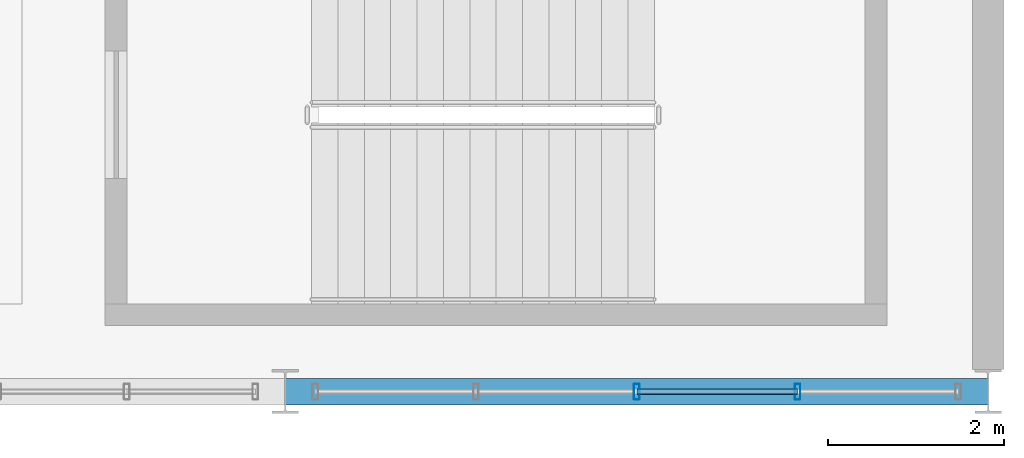
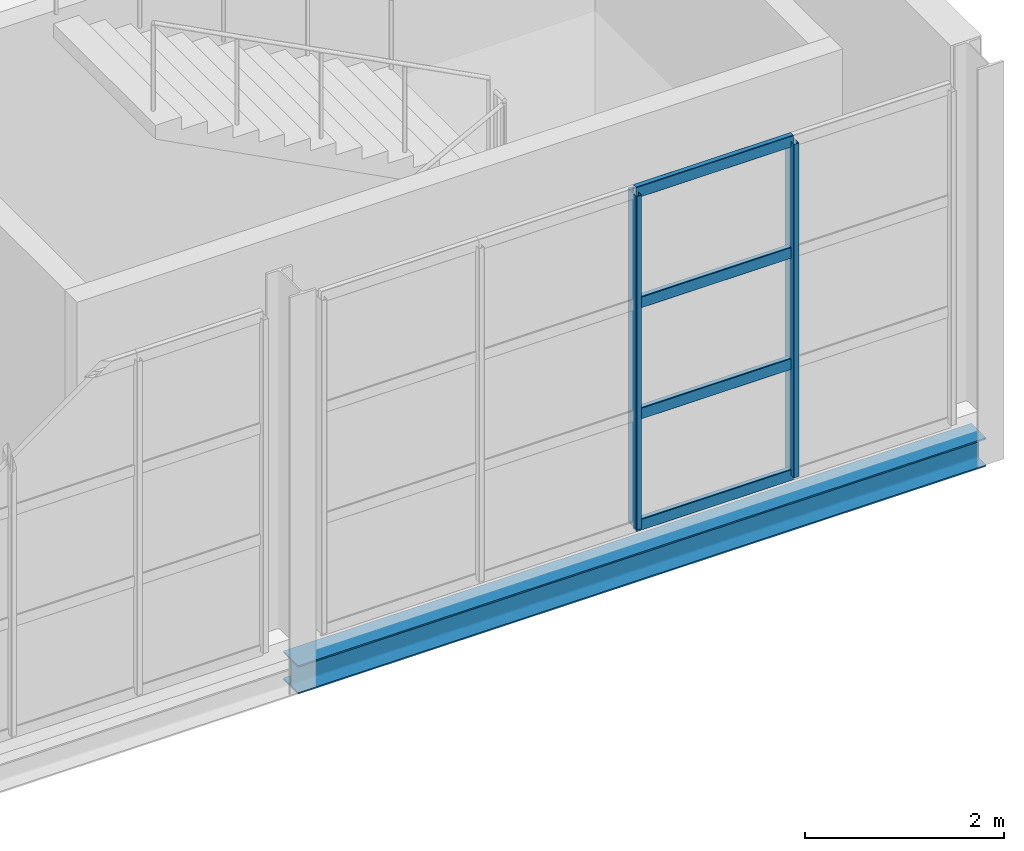
# One storey, part 107 of 153: 6 members, 1 beam, 1 element without a shape of its own.
"""IFC4 building model written with IfcOpenShell, lengths in metres."""

from ifc_helpers import new_model, si_unit, derived_unit, direction, frame, origin, origin_2d, place, context, subcontext, project, spatial, hollow_rectangle, i_section, extrude, material, material_profile, profile_set, type_object, element, aggregate, save


model = new_model("IFC4")

# Units and contexts
model_context = context("Model", 3, precision=1e-05, world=origin(), true_north=direction((0.0, 1.0)))
body_context = subcontext(model_context, "Body", "Model", "MODEL_VIEW")
ifc_project = project(units=[si_unit("LENGTHUNIT", "METRE"), si_unit("AREAUNIT", "SQUARE_METRE"), si_unit("VOLUMEUNIT", "CUBIC_METRE"), si_unit("PLANEANGLEUNIT", "RADIAN"), si_unit("MASSUNIT", "GRAM", prefix="KILO"), derived_unit("THERMALTRANSMITTANCEUNIT", [(si_unit("POWERUNIT", "WATT"), 1), (si_unit("LENGTHUNIT", "METRE"), -2), (si_unit("THERMODYNAMICTEMPERATUREUNIT", "KELVIN"), -1)])], contexts=[model_context])

# Site, building, storey
site_placement = place(None, origin())
site = spatial("IfcSite", under=ifc_project, at=site_placement, CompositionType="ELEMENT")
building_placement = place(site_placement, origin())
building = spatial("IfcBuilding", under=site, at=building_placement, Name="Keldorne Ridge Multi-Sports Centre", CompositionType="ELEMENT")
storey_placement = place(building_placement, frame((0.0, 0.0, 9.60009765625)))
storey = spatial("IfcBuildingStorey", under=building, at=storey_placement, Name="L02", CompositionType="ELEMENT", Elevation=9.60009765625)

# Beam
ifc_material_1 = material(Name="Steel S355", Category="steel")
ifc_material_profile_1 = material_profile(ifc_material_1, i_section(OverallWidth=0.300048828125, OverallDepth=0.35009765625, WebThickness=0.010009765625, FlangeThickness=0.017578125, FilletRadius=0.027099609375, at=origin_2d()), Name="HEA 360")
ifc_profile_set_1 = profile_set([ifc_material_profile_1], Name="Steel S355")
beam_type = type_object("IfcBeamType", Name="BM-SP-03", PredefinedType="SPANDREL", material=ifc_profile_set_1)
beam_placement = place(storey_placement, frame((160.0, 6.0, -0.4150390625), z_axis=(1.0, 0.0, 0.0), x_axis=(0.0, 1.0, 0.0)))
element("IfcBeam", 1, at=beam_placement, inside=storey, type_object=beam_type, Name="L02 Stacked Courts beam 8.1", PredefinedType="SPANDREL", context=body_context, shape_type="SweptSolid", body=[
    extrude(i_section(OverallWidth=0.300048828125, OverallDepth=0.35009765625, WebThickness=0.010009765625, FlangeThickness=0.017578125, FilletRadius=0.027099609375, at=origin_2d()), origin(), (0.0, 0.0, 1.0), 8.0),
])

# Curtain wall, members
ifc_material_2 = material(Name="Anodized aluminium", Category="aluminium")
curtain_wall_type = type_object("IfcCurtainWallType", Name="CW-CW-05", PredefinedType="NOTDEFINED", material=ifc_material_2)
curtain_wall_placement = place(storey_placement, origin())
curtain_wall = element("IfcCurtainWall", 2, at=curtain_wall_placement, inside=storey, type_object=curtain_wall_type, Name="Upper Courts south curtain wall 133", PredefinedType="NOTDEFINED")
ifc_material_profile_2 = material_profile(ifc_material_2, hollow_rectangle(XDim=0.06494140625, YDim=0.179931640625, WallThickness=0.00439453125, InnerFilletRadius=0.00439453125, OuterFilletRadius=0.009033203125, at=origin_2d()), Name="ALU MULLION 180x65x4.5")
ifc_profile_set_2 = profile_set([ifc_material_profile_2], Name="Anodized aluminium")
member_type_1 = type_object("IfcMemberType", Name="MEM-ML-01", PredefinedType="MULLION", material=ifc_profile_set_2)
member_1_placement = place(storey_placement, frame((164.0, 6.0, 0.0), z_axis=(0.0, 0.0, 1.0), x_axis=(1.0, 0.0, 0.0)))
member_1 = element("IfcMember", 3, at=member_1_placement, type_object=member_type_1, Name="CW-133 vertical mullion 3", PredefinedType="MULLION", context=body_context, shape_type="SweptSolid", body=[
    extrude(hollow_rectangle(XDim=0.06494140625, YDim=0.179931640625, WallThickness=0.00439453125, InnerFilletRadius=0.00439453125, OuterFilletRadius=0.009033203125, at=origin_2d()), origin(), (0.0, 0.0, 1.0), 4.099853515625),
])
member_2_placement = place(storey_placement, frame((165.830078125, 6.0, 0.0), z_axis=(0.0, 0.0, 1.0), x_axis=(1.0, 0.0, 0.0)))
member_2 = element("IfcMember", 4, at=member_2_placement, type_object=member_type_1, Name="CW-133 vertical mullion 4", PredefinedType="MULLION", context=body_context, shape_type="SweptSolid", body=[
    extrude(hollow_rectangle(XDim=0.06494140625, YDim=0.179931640625, WallThickness=0.00439453125, InnerFilletRadius=0.00439453125, OuterFilletRadius=0.009033203125, at=origin_2d()), origin(), (0.0, 0.0, 1.0), 4.099853515625),
])
ifc_material_profile_3 = material_profile(ifc_material_2, hollow_rectangle(XDim=0.06494140625, YDim=0.139892578125, WallThickness=0.00439453125, InnerFilletRadius=0.00439453125, OuterFilletRadius=0.009033203125, at=origin_2d()), Name="ALU TRANSOM 140x65x4.5")
ifc_profile_set_3 = profile_set([ifc_material_profile_3], Name="Anodized aluminium")
member_type_2 = type_object("IfcMemberType", Name="MEM-TR-01", PredefinedType="USERDEFINED", material=ifc_profile_set_3)
member_3_placement = place(storey_placement, frame((164.0, 6.0, 0.0), z_axis=(1.0, 0.0, 0.0), x_axis=(0.0, 1.0, 0.0)))
member_3 = element("IfcMember", 5, at=member_3_placement, type_object=member_type_2, Name="CW-133 transom 3.1", ObjectType="TRANSOM", PredefinedType="USERDEFINED", context=body_context, shape_type="SweptSolid", body=[
    extrude(hollow_rectangle(XDim=0.06494140625, YDim=0.139892578125, WallThickness=0.00439453125, InnerFilletRadius=0.00439453125, OuterFilletRadius=0.009033203125, at=origin_2d()), origin(), (0.0, 0.0, 1.0), 1.830078125),
])
member_4_placement = place(storey_placement, frame((164.0, 6.0, 1.36669921875), z_axis=(1.0, 0.0, 0.0), x_axis=(0.0, 1.0, 0.0)))
member_4 = element("IfcMember", 6, at=member_4_placement, type_object=member_type_2, Name="CW-133 transom 3.2", ObjectType="TRANSOM", PredefinedType="USERDEFINED", context=body_context, shape_type="SweptSolid", body=[
    extrude(hollow_rectangle(XDim=0.06494140625, YDim=0.139892578125, WallThickness=0.00439453125, InnerFilletRadius=0.00439453125, OuterFilletRadius=0.009033203125, at=origin_2d()), origin(), (0.0, 0.0, 1.0), 1.830078125),
])
member_5_placement = place(storey_placement, frame((164.0, 6.0, 2.733154296875), z_axis=(1.0, 0.0, 0.0), x_axis=(0.0, 1.0, 0.0)))
member_5 = element("IfcMember", 7, at=member_5_placement, type_object=member_type_2, Name="CW-133 transom 3.3", ObjectType="TRANSOM", PredefinedType="USERDEFINED", context=body_context, shape_type="SweptSolid", body=[
    extrude(hollow_rectangle(XDim=0.06494140625, YDim=0.139892578125, WallThickness=0.00439453125, InnerFilletRadius=0.00439453125, OuterFilletRadius=0.009033203125, at=origin_2d()), origin(), (0.0, 0.0, 1.0), 1.830078125),
])
member_6_placement = place(storey_placement, frame((164.0, 6.0, 4.099853515625), z_axis=(1.0, 0.0, 0.0), x_axis=(0.0, 1.0, 0.0)))
member_6 = element("IfcMember", 8, at=member_6_placement, type_object=member_type_2, Name="CW-133 transom 3.4", ObjectType="TRANSOM", PredefinedType="USERDEFINED", context=body_context, shape_type="SweptSolid", body=[
    extrude(hollow_rectangle(XDim=0.06494140625, YDim=0.139892578125, WallThickness=0.00439453125, InnerFilletRadius=0.00439453125, OuterFilletRadius=0.009033203125, at=origin_2d()), origin(), (0.0, 0.0, 1.0), 1.830078125),
])
aggregate(curtain_wall, [member_1, member_2, member_3, member_4, member_5, member_6])

save(model, "model.ifc")
